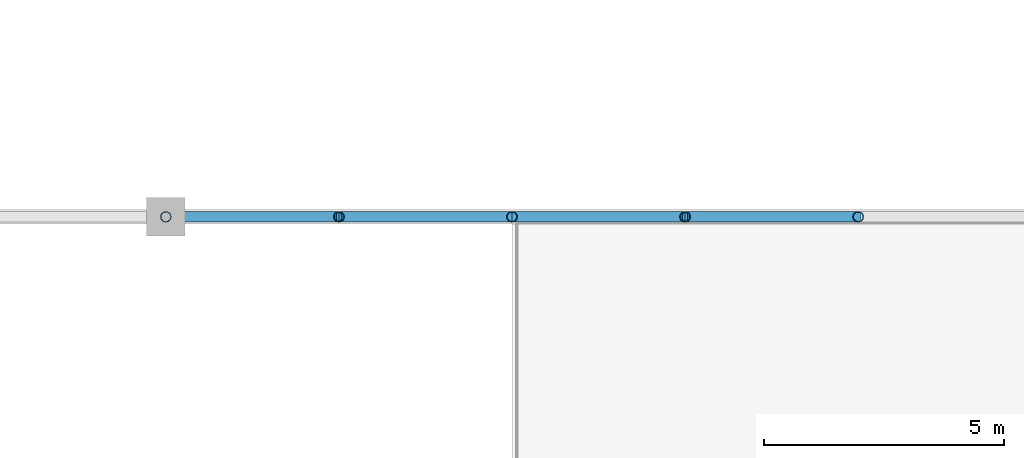
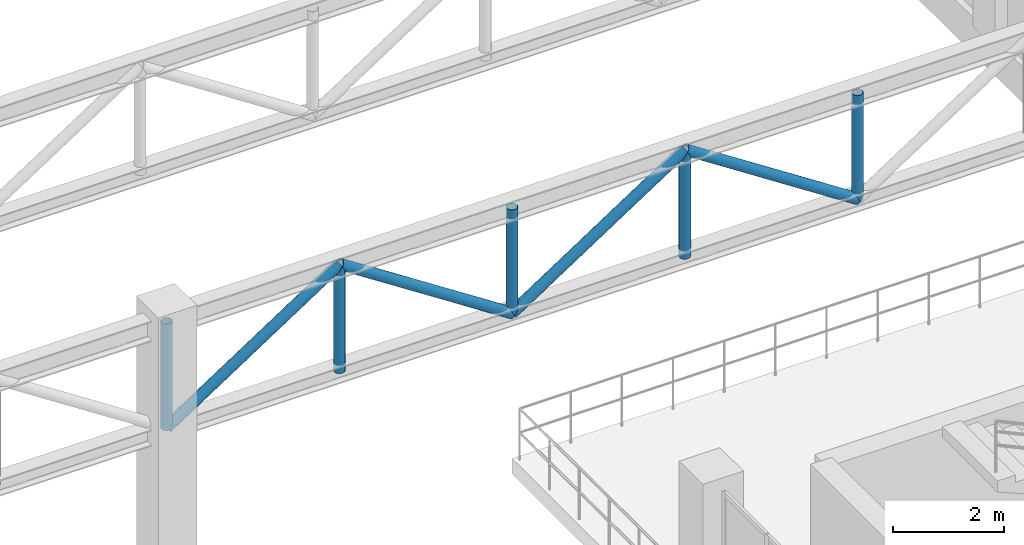
# One storey, part 84 of 153: 9 members.
"""IFC4 building model written with IfcOpenShell, lengths in metres."""

from ifc_helpers import new_model, si_unit, direction, frame, origin, origin_2d, place, context, subcontext, project, spatial, hollow_circle, extrude, material, material_profile, profile_set, type_object, element, save


model = new_model("IFC4")

# Units and contexts
model_context = context("Model", 3, precision=1e-05, world=origin(), true_north=direction((0.0, 1.0)))
body_context = subcontext(model_context, "Body", "Model", "MODEL_VIEW")
ifc_project = project(units=[si_unit("LENGTHUNIT", "METRE"), si_unit("AREAUNIT", "SQUARE_METRE"), si_unit("VOLUMEUNIT", "CUBIC_METRE"), si_unit("PLANEANGLEUNIT", "RADIAN"), si_unit("MASSUNIT", "GRAM", prefix="KILO")], contexts=[model_context])

# Site, building, storey
site_placement = place(None, origin())
site = spatial("IfcSite", under=ifc_project, at=site_placement, CompositionType="ELEMENT")
building_placement = place(site_placement, origin())
building = spatial("IfcBuilding", under=site, at=building_placement, Name="Qandorah Velis Arena", CompositionType="ELEMENT")
storey_placement = place(building_placement, frame((0.0, 0.0, 5.39990234375)))
storey = spatial("IfcBuildingStorey", under=building, at=storey_placement, Name="L01", CompositionType="ELEMENT", Elevation=5.39990234375)

# Members
ifc_material = material(Name="Steel S355", Category="steel")
ifc_material_profile = material_profile(ifc_material, hollow_circle(Radius=0.109619140625, WallThickness=0.010009765625, at=origin_2d()), Name="CHS 219.1x10")
ifc_profile_set = profile_set([ifc_material_profile], Name="Steel S355")
member_type = type_object("IfcMemberType", Name="STR-SFD-CHS219X10", PredefinedType="STRUT", material=ifc_profile_set)
member_1_placement = place(storey_placement, frame((144.0, 93.60009765625, 3.205078125), z_axis=(0.0, 0.0, 1.0), x_axis=(1.0, 0.0, 0.0)))
element("IfcMember", 1, at=member_1_placement, inside=storey, type_object=member_type, Name="Practice court roof truss 1 vertical 7", PredefinedType="STRUT", context=body_context, shape_type="SweptSolid", body=[
    extrude(hollow_circle(Radius=0.109619140625, WallThickness=0.010009765625, at=origin_2d()), origin(), (0.0, 0.0, 1.0), 2.35009765625),
])
member_2_placement = place(storey_placement, frame((144.0, 93.60009765625, 3.205078125), z_axis=(0.837375540217, 0.0, 0.546628031339), x_axis=(0.0, 1.0, 0.0)))
element("IfcMember", 2, at=member_2_placement, inside=storey, type_object=member_type, Name="Practice court roof truss 1 web diagonal 7", PredefinedType="STRUT", context=body_context, shape_type="SweptSolid", body=[
    extrude(hollow_circle(Radius=0.109619140625, WallThickness=0.010009765625, at=origin_2d()), origin(), (0.0, 0.0, 1.0), 4.29931640625),
])
member_3_placement = place(storey_placement, frame((147.60009765625, 93.60009765625, 3.205078125), z_axis=(0.0, 0.0, 1.0), x_axis=(1.0, 0.0, 0.0)))
element("IfcMember", 3, at=member_3_placement, inside=storey, type_object=member_type, Name="Practice court roof truss 1 vertical 8", PredefinedType="STRUT", context=body_context, shape_type="SweptSolid", body=[
    extrude(hollow_circle(Radius=0.109619140625, WallThickness=0.010009765625, at=origin_2d()), origin(), (0.0, 0.0, 1.0), 2.35009765625),
])
member_4_placement = place(storey_placement, frame((147.60009765625, 93.60009765625, 5.55517578125), z_axis=(0.837358571039, 0.0, -0.54665402542), x_axis=(0.0, 1.0, 0.0)))
element("IfcMember", 4, at=member_4_placement, inside=storey, type_object=member_type, Name="Practice court roof truss 1 web diagonal 8", PredefinedType="STRUT", context=body_context, shape_type="SweptSolid", body=[
    extrude(hollow_circle(Radius=0.109619140625, WallThickness=0.010009765625, at=origin_2d()), origin(), (0.0, 0.0, 1.0), 4.299072265625),
])
member_5_placement = place(storey_placement, frame((151.199951171875, 93.60009765625, 3.205078125), z_axis=(0.0, 0.0, 1.0), x_axis=(1.0, 0.0, 0.0)))
element("IfcMember", 5, at=member_5_placement, inside=storey, type_object=member_type, Name="Practice court roof truss 1 vertical 9", PredefinedType="STRUT", context=body_context, shape_type="SweptSolid", body=[
    extrude(hollow_circle(Radius=0.109619140625, WallThickness=0.010009765625, at=origin_2d()), origin(), (0.0, 0.0, 1.0), 2.35009765625),
])
member_6_placement = place(storey_placement, frame((151.199951171875, 93.60009765625, 3.205078125), z_axis=(0.837375540217, 0.0, 0.546628031339), x_axis=(0.0, 1.0, 0.0)))
element("IfcMember", 6, at=member_6_placement, inside=storey, type_object=member_type, Name="Practice court roof truss 1 web diagonal 9", PredefinedType="STRUT", context=body_context, shape_type="SweptSolid", body=[
    extrude(hollow_circle(Radius=0.109619140625, WallThickness=0.010009765625, at=origin_2d()), origin(), (0.0, 0.0, 1.0), 4.29931640625),
])
member_7_placement = place(storey_placement, frame((154.800048828125, 93.60009765625, 3.205078125), z_axis=(0.0, 0.0, 1.0), x_axis=(1.0, 0.0, 0.0)))
element("IfcMember", 7, at=member_7_placement, inside=storey, type_object=member_type, Name="Practice court roof truss 1 vertical 10", PredefinedType="STRUT", context=body_context, shape_type="SweptSolid", body=[
    extrude(hollow_circle(Radius=0.109619140625, WallThickness=0.010009765625, at=origin_2d()), origin(), (0.0, 0.0, 1.0), 2.35009765625),
])
member_8_placement = place(storey_placement, frame((154.800048828125, 93.60009765625, 5.55517578125), z_axis=(0.837358571039, 0.0, -0.54665402542), x_axis=(0.0, 1.0, 0.0)))
element("IfcMember", 8, at=member_8_placement, inside=storey, type_object=member_type, Name="Practice court roof truss 1 web diagonal 10", PredefinedType="STRUT", context=body_context, shape_type="SweptSolid", body=[
    extrude(hollow_circle(Radius=0.109619140625, WallThickness=0.010009765625, at=origin_2d()), origin(), (0.0, 0.0, 1.0), 4.299072265625),
])
member_9_placement = place(storey_placement, frame((158.39990234375, 93.60009765625, 3.205078125), z_axis=(0.0, 0.0, 1.0), x_axis=(1.0, 0.0, 0.0)))
element("IfcMember", 9, at=member_9_placement, inside=storey, type_object=member_type, Name="Practice court roof truss 1 vertical 11", PredefinedType="STRUT", context=body_context, shape_type="SweptSolid", body=[
    extrude(hollow_circle(Radius=0.109619140625, WallThickness=0.010009765625, at=origin_2d()), origin(), (0.0, 0.0, 1.0), 2.35009765625),
])

save(model, "model.ifc")
